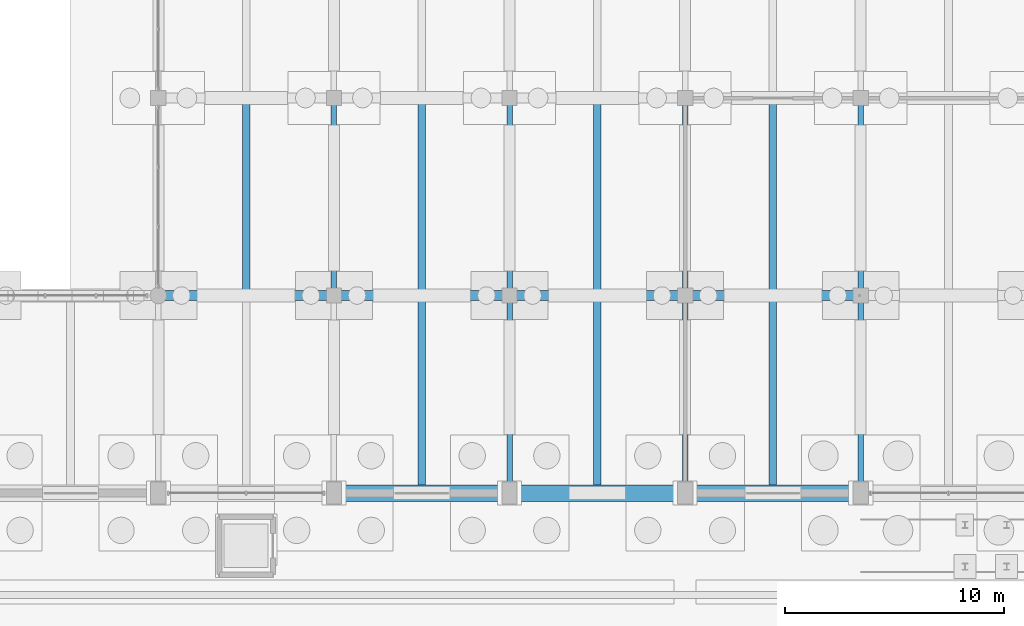
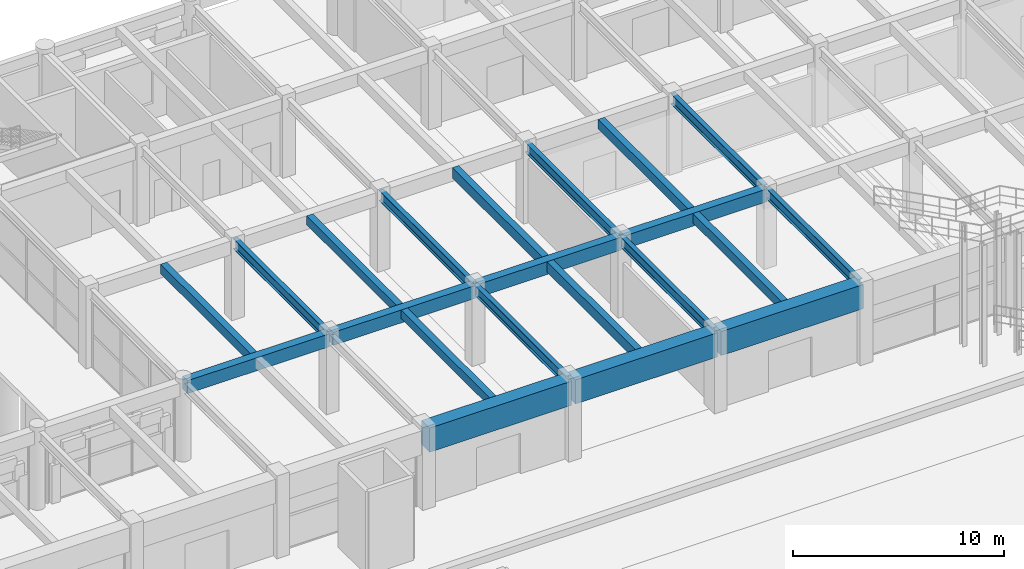
# One storey, part 64 of 147: 21 beams.
"""IFC4 building model written with IfcOpenShell, lengths in metres."""

from ifc_helpers import new_model, si_unit, direction, frame, origin, origin_2d, place, context, subcontext, project, spatial, rectangle, i_section, extrude, material, material_profile, profile_set, type_object, element, save


model = new_model("IFC4")

# Units and contexts
model_context = context("Model", 3, precision=1e-05, world=origin(), true_north=direction((0.0, 1.0)))
body_context = subcontext(model_context, "Body", "Model", "MODEL_VIEW")
ifc_project = project(units=[si_unit("LENGTHUNIT", "METRE"), si_unit("AREAUNIT", "SQUARE_METRE"), si_unit("VOLUMEUNIT", "CUBIC_METRE"), si_unit("PLANEANGLEUNIT", "RADIAN"), si_unit("MASSUNIT", "GRAM", prefix="KILO")], contexts=[model_context])

# Site, building, storey
site_placement = place(None, origin())
site = spatial("IfcSite", under=ifc_project, at=site_placement, CompositionType="ELEMENT")
building_placement = place(site_placement, origin())
building = spatial("IfcBuilding", under=site, at=building_placement, Name="Varnabhumi Central Station", CompositionType="ELEMENT")
storey_placement = place(building_placement, origin())
storey = spatial("IfcBuildingStorey", under=building, at=storey_placement, Name="L00", CompositionType="ELEMENT", Elevation=0.0)

# Beams
ifc_material_1 = material(Name="Concrete M50", Category="concrete")
ifc_material_profile_1 = material_profile(ifc_material_1, rectangle(XDim=0.75, YDim=1.39990234375, at=origin_2d()), Name="Concrete M50", Category="concrete")
ifc_profile_set_1 = profile_set([ifc_material_profile_1], Name="Concrete M50")
beam_type_1 = type_object("IfcBeamType", Name="BM-RC-1400x750", PredefinedType="BEAM", material=ifc_profile_set_1)
for number, where, z_axis, x_axis, name in (
    (1, (88.10009765625, 80.0, 3.85009765625), (1.0, 0.0, 0.0), (0.0, 1.0, 0.0), "Beam L00-K:12-13"),
    (2, (96.10009765625, 80.0, 3.85009765625), (1.0, 0.0, 0.0), (0.0, 1.0, 0.0), "Beam L00-K:13-14"),
    (3, (104.10009765625, 80.0, 3.85009765625), (1.0, 0.0, 0.0), (0.0, 1.0, 0.0), "Beam L00-K:14-15"),
):
    element("IfcBeam", number, at=place(storey_placement, frame(where, z_axis=z_axis, x_axis=x_axis)), inside=storey, type_object=beam_type_1, Name=name, PredefinedType="BEAM", context=body_context, shape_type="SweptSolid", body=[
        extrude(rectangle(XDim=0.75, YDim=1.39990234375, at=origin_2d()), origin(), (0.0, 0.0, 1.0), 7.7998046875),
    ])
ifc_material_2 = material(Name="Concrete M40", Category="concrete")
ifc_material_profile_2 = material_profile(ifc_material_2, rectangle(XDim=0.35009765625, YDim=0.5, at=origin_2d()), Name="Concrete M40", Category="concrete")
ifc_profile_set_2 = profile_set([ifc_material_profile_2], Name="Concrete M40")
beam_type_2 = type_object("IfcBeamType", Name="BM-RC-350x500", PredefinedType="JOIST", material=ifc_profile_set_2)
beam_1_placement = place(storey_placement, frame((92.0, 80.375, 4.300048828125), z_axis=(0.0, 1.0, 0.0), x_axis=(-1.0, 0.0, 0.0)))
element("IfcBeam", 4, at=beam_1_placement, inside=storey, type_object=beam_type_2, Name="Secondary Joist L00-12/13:K-L", PredefinedType="JOIST", context=body_context, shape_type="SweptSolid", body=[
    extrude(rectangle(XDim=0.35009765625, YDim=0.5, at=origin_2d()), origin(), (0.0, 0.0, 1.0), 8.39990234375),
])
beam_2_placement = place(storey_placement, frame((92.0, 89.22509765625, 4.300048828125), z_axis=(0.0, 1.0, 0.0), x_axis=(-1.0, 0.0, 0.0)))
element("IfcBeam", 5, at=beam_2_placement, inside=storey, type_object=beam_type_2, Name="Secondary Joist L00-12/13:L-M", PredefinedType="JOIST", context=body_context, shape_type="SweptSolid", body=[
    extrude(rectangle(XDim=0.35009765625, YDim=0.5, at=origin_2d()), origin(), (0.0, 0.0, 1.0), 8.5498046875),
])
ifc_material_profile_3 = material_profile(ifc_material_2, rectangle(XDim=0.35009765625, YDim=0.550048828125, at=origin_2d()), Name="Concrete M40", Category="concrete")
ifc_profile_set_3 = profile_set([ifc_material_profile_3], Name="Concrete M40")
beam_type_3 = type_object("IfcBeamType", Name="BM-RC-350x550", PredefinedType="JOIST", material=ifc_profile_set_3)
beam_3_placement = place(storey_placement, frame((108.0, 80.375, 4.27490234375), z_axis=(0.0, 1.0, 0.0), x_axis=(-1.0, 0.0, 0.0)))
element("IfcBeam", 6, at=beam_3_placement, inside=storey, type_object=beam_type_3, Name="Secondary Joist L00-14/15:K-L", PredefinedType="JOIST", context=body_context, shape_type="SweptSolid", body=[
    extrude(rectangle(XDim=0.35009765625, YDim=0.550048828125, at=origin_2d()), origin(), (0.0, 0.0, 1.0), 8.39990234375),
])
for number, where, z_axis, x_axis, name in (
    (7, (84.0, 89.22509765625, 4.27490234375), (0.0, 1.0, 0.0), (-1.0, 0.0, 0.0), "Secondary Joist L00-11/12:L-M"),
    (8, (108.0, 89.22509765625, 4.27490234375), (0.0, 1.0, 0.0), (-1.0, 0.0, 0.0), "Secondary Joist L00-14/15:L-M"),
):
    element("IfcBeam", number, at=place(storey_placement, frame(where, z_axis=z_axis, x_axis=x_axis)), inside=storey, type_object=beam_type_3, Name=name, PredefinedType="JOIST", context=body_context, shape_type="SweptSolid", body=[
        extrude(rectangle(XDim=0.35009765625, YDim=0.550048828125, at=origin_2d()), origin(), (0.0, 0.0, 1.0), 8.5498046875),
    ])
ifc_material_profile_4 = material_profile(ifc_material_2, rectangle(XDim=0.449951171875, YDim=0.75, at=origin_2d()), Name="Concrete M40", Category="concrete")
ifc_profile_set_4 = profile_set([ifc_material_profile_4], Name="Concrete M40")
beam_type_4 = type_object("IfcBeamType", Name="BM-RC-450x750", PredefinedType="BEAM", material=ifc_profile_set_4)
for number, where, z_axis, x_axis, name in (
    (9, (80.10009765625, 89.0, 4.175048828125), (1.0, 0.0, 0.0), (0.0, 1.0, 0.0), "Beam L00-L:11-12"),
    (10, (88.10009765625, 89.0, 4.175048828125), (1.0, 0.0, 0.0), (0.0, 1.0, 0.0), "Beam L00-L:12-13"),
    (11, (96.10009765625, 89.0, 4.175048828125), (1.0, 0.0, 0.0), (0.0, 1.0, 0.0), "Beam L00-L:13-14"),
    (12, (104.10009765625, 89.0, 4.175048828125), (1.0, 0.0, 0.0), (0.0, 1.0, 0.0), "Beam L00-L:14-15"),
):
    element("IfcBeam", number, at=place(storey_placement, frame(where, z_axis=z_axis, x_axis=x_axis)), inside=storey, type_object=beam_type_4, Name=name, PredefinedType="BEAM", context=body_context, shape_type="SweptSolid", body=[
        extrude(rectangle(XDim=0.449951171875, YDim=0.75, at=origin_2d()), origin(), (0.0, 0.0, 1.0), 7.7998046875),
    ])
ifc_material_profile_5 = material_profile(ifc_material_2, rectangle(XDim=0.35009765625, YDim=0.60009765625, at=origin_2d()), Name="Concrete M40", Category="concrete")
ifc_profile_set_5 = profile_set([ifc_material_profile_5], Name="Concrete M40")
beam_type_5 = type_object("IfcBeamType", Name="BM-RC-600x350", PredefinedType="JOIST", material=ifc_profile_set_5)
beam_4_placement = place(storey_placement, frame((100.0, 80.375, 4.25), z_axis=(0.0, 1.0, 0.0), x_axis=(-1.0, 0.0, 0.0)))
element("IfcBeam", 13, at=beam_4_placement, inside=storey, type_object=beam_type_5, Name="Secondary Joist L00-13/14:K-L", PredefinedType="JOIST", context=body_context, shape_type="SweptSolid", body=[
    extrude(rectangle(XDim=0.35009765625, YDim=0.60009765625, at=origin_2d()), origin(), (0.0, 0.0, 1.0), 8.39990234375),
])
beam_5_placement = place(storey_placement, frame((100.0, 89.22509765625, 4.25), z_axis=(0.0, 1.0, 0.0), x_axis=(-1.0, 0.0, 0.0)))
element("IfcBeam", 14, at=beam_5_placement, inside=storey, type_object=beam_type_5, Name="Secondary Joist L00-13/14:L-M", PredefinedType="JOIST", context=body_context, shape_type="SweptSolid", body=[
    extrude(rectangle(XDim=0.35009765625, YDim=0.60009765625, at=origin_2d()), origin(), (0.0, 0.0, 1.0), 8.5498046875),
])
ifc_material_3 = material(Name="Structural steel E350", Category="steel")
ifc_material_profile_6 = material_profile(ifc_material_3, i_section(OverallWidth=0.25, OverallDepth=0.60009765625, WebThickness=0.01171875, FlangeThickness=0.023681640625, FilletRadius=0.01708984375, at=origin_2d()), Name="Structural steel E350", Category="steel")
ifc_profile_set_6 = profile_set([ifc_material_profile_6], Name="Structural steel E350")
beam_type_6 = type_object("IfcBeamType", Name="BM-SEC-ISWB600", PredefinedType="BEAM", material=ifc_profile_set_6)
for number, where, z_axis, x_axis, name in (
    (15, (96.0, 80.10009765625, 4.25), (0.0, 1.0, 0.0), (-1.0, 0.0, 0.0), "Beam L00-13:K-L"),
    (16, (104.0, 80.10009765625, 4.25), (0.0, 1.0, 0.0), (-1.0, 0.0, 0.0), "Beam L00-14:K-L"),
    (17, (112.0, 80.10009765625, 4.25), (0.0, 1.0, 0.0), (-1.0, 0.0, 0.0), "Beam L00-15:K-L"),
    (18, (88.0, 89.10009765625, 4.25), (0.0, 1.0, 0.0), (-1.0, 0.0, 0.0), "Beam L00-12:L-M"),
    (19, (96.0, 89.10009765625, 4.25), (0.0, 1.0, 0.0), (-1.0, 0.0, 0.0), "Beam L00-13:L-M"),
    (20, (104.0, 89.10009765625, 4.25), (0.0, 1.0, 0.0), (-1.0, 0.0, 0.0), "Beam L00-14:L-M"),
    (21, (112.0, 89.10009765625, 4.25), (0.0, 1.0, 0.0), (-1.0, 0.0, 0.0), "Beam L00-15:L-M"),
):
    element("IfcBeam", number, at=place(storey_placement, frame(where, z_axis=z_axis, x_axis=x_axis)), inside=storey, type_object=beam_type_6, Name=name, PredefinedType="BEAM", context=body_context, shape_type="SweptSolid", body=[
        extrude(i_section(OverallWidth=0.25, OverallDepth=0.60009765625, WebThickness=0.01171875, FlangeThickness=0.023681640625, FilletRadius=0.01708984375, at=origin_2d()), origin(), (0.0, 0.0, 1.0), 8.7998046875),
    ])

save(model, "model.ifc")
